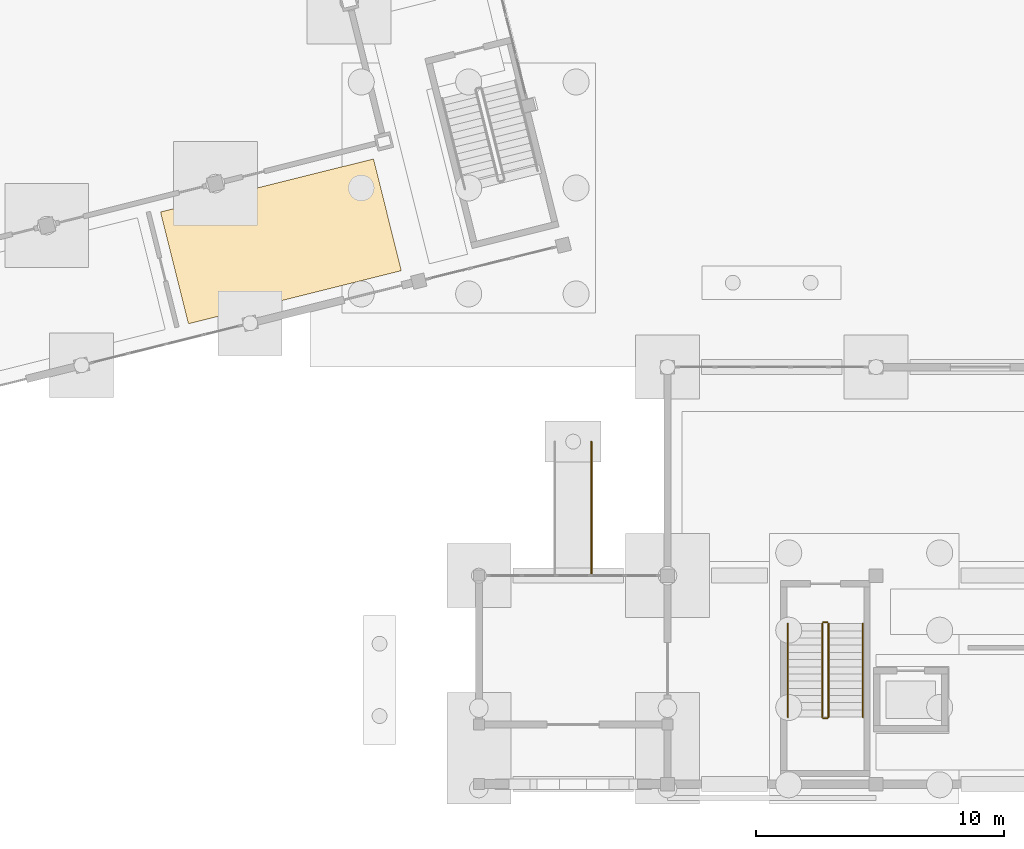
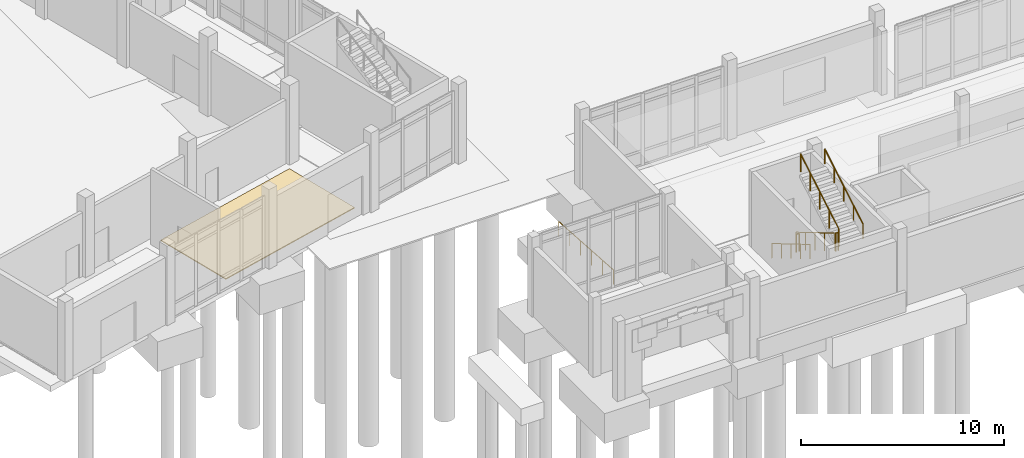
# One storey, part 57 of 72: 7 railings, 1 covering.
"""IFC4 building model written with IfcOpenShell, lengths in metres."""

import ifcopenshell
import ifcopenshell.guid

model = None  # the IFC model being written
_history = None  # IfcOwnerHistory: only IFC2X3 demands one
_inside = {}  # id of a spatial element -> (the spatial element, [elements in it])
_under = {}  # id of a project, library or spatial element -> (it, [spatial elements below it])
_declared = {}  # id of a project -> (the project, [libraries it declares])
_typed = {}  # id of a type object -> (the type object, [elements of that type])
_made_of = {}  # id of a material, layer set ... -> (it, [elements and type objects made of it])


def new_model(schema):
    """Start an empty IFC model of exactly this schema.

    Asked for "IFC4X3", IfcOpenShell would pick the latest addendum, in which some entities
    have other attributes; the version numbers below select the first issue.
    IFC2X3 requires an IfcOwnerHistory on every rooted entity: one is made here for all.
    """
    global model, _history
    if schema == "IFC4X3":
        model = ifcopenshell.file(schema_version=(4, 3, 0, 0))
    else:
        model = ifcopenshell.file(schema=schema)
    _inside.clear()
    _under.clear()
    _declared.clear()
    _typed.clear()
    _made_of.clear()
    _history = None
    if model.schema == "IFC2X3":
        org = make("IfcOrganization", Name="unknown")
        user = make(
            "IfcPersonAndOrganization",
            ThePerson=make("IfcPerson", FamilyName="unknown"),
            TheOrganization=org,
        )
        app = make(
            "IfcApplication",
            ApplicationDeveloper=org,
            Version="unknown",
            ApplicationFullName="unknown",
            ApplicationIdentifier="unknown",
        )
        _history = make(
            "IfcOwnerHistory",
            OwningUser=user,
            OwningApplication=app,
            ChangeAction="ADDED",
            CreationDate=0,
        )
    return model


def make(cls, **values):
    """One entity of the class cls with the attributes given. An attribute that is None is left unset."""
    return model.create_entity(
        cls, **{name: value for name, value in values.items() if value is not None}
    )


def rooted(cls, **values):
    """An entity with a GlobalId (a new one), such as an element, a storey or a relation."""
    return make(cls, GlobalId=ifcopenshell.guid.new(), OwnerHistory=_history, **values)


def si_unit(unit_type, name, prefix=None):
    """IfcSIUnit, for example si_unit("LENGTHUNIT", "METRE", prefix="MILLI")."""
    return make("IfcSIUnit", UnitType=unit_type, Prefix=prefix, Name=name)


def assignment(units):
    """IfcUnitAssignment: the units of a project."""
    return None if units is None else make("IfcUnitAssignment", Units=units)


def point(xyz):
    """IfcCartesianPoint."""
    return None if xyz is None else make("IfcCartesianPoint", Coordinates=xyz)


def direction(xyz):
    """IfcDirection."""
    return None if xyz is None else make("IfcDirection", DirectionRatios=xyz)


def frame(location, z_axis=None, x_axis=None):
    """IfcAxis2Placement3D, a coordinate frame: its origin and axes. An axis left out is left unset."""
    return make(
        "IfcAxis2Placement3D",
        Location=point(location),
        Axis=direction(z_axis),
        RefDirection=direction(x_axis),
    )


def frame_2d(location, x_axis=None):
    """IfcAxis2Placement2D, a coordinate frame in the plane: its origin and x axis."""
    return make(
        "IfcAxis2Placement2D", Location=point(location), RefDirection=direction(x_axis)
    )


def origin():
    """The frame at (0, 0, 0) with its axes left unset."""
    return frame((0.0, 0.0, 0.0))


def origin_2d():
    """The frame at (0, 0) in the plane with its x axis left unset."""
    return frame_2d((0.0, 0.0))


def place(relative_to, where):
    """IfcLocalPlacement: puts the frame where relative to a parent placement (None: the world)."""
    return make(
        "IfcLocalPlacement", PlacementRelTo=relative_to, RelativePlacement=where
    )


def context(
    kind, dimensions, precision=None, world=None, true_north=None, identifier=None
):
    """IfcGeometricRepresentationContext, for example the 3D "Model" context."""
    return make(
        "IfcGeometricRepresentationContext",
        ContextIdentifier=identifier,
        ContextType=kind,
        CoordinateSpaceDimension=dimensions,
        Precision=precision,
        WorldCoordinateSystem=world,
        TrueNorth=true_north,
    )


def subcontext(parent, identifier, kind, view, scale=None):
    """IfcGeometricRepresentationSubContext, for example "Body" below "Model"."""
    return make(
        "IfcGeometricRepresentationSubContext",
        ContextIdentifier=identifier,
        ContextType=kind,
        ParentContext=parent,
        TargetScale=scale,
        TargetView=view,
    )


def project(units=None, contexts=None):
    """IfcProject with its units and contexts."""
    return rooted(
        "IfcProject",
        Name="project",
        RepresentationContexts=contexts,
        UnitsInContext=assignment(units),
    )


def spatial(cls, under=None, at=None, **own):
    """A site, building, storey or space (cls), placed at a placement, below another one or the project."""
    s = rooted(cls, ObjectPlacement=at, **own)
    if under is not None:
        _under.setdefault(under.id(), (under, []))[1].append(s)
    return s


def polyline(points):
    """IfcPolyline through the points."""
    return make("IfcPolyline", Points=[point(p) for p in points])


def profile(cls, at=None, kind="AREA", **sizes):
    """A parametric profile (cls). Its sizes go by their IFC names, for example OverallWidth=200.0."""
    return make(cls, ProfileType=kind, Position=at, **sizes)


def circle(**sizes):
    """IfcCircleProfileDef."""
    return profile("IfcCircleProfileDef", **sizes)


def outline(outer, holes=None, kind="AREA"):
    """IfcArbitraryClosedProfileDef: a profile drawn as a closed curve; with holes, ...WithVoids."""
    if holes is None:
        return make("IfcArbitraryClosedProfileDef", ProfileType=kind, OuterCurve=outer)
    return make(
        "IfcArbitraryProfileDefWithVoids",
        ProfileType=kind,
        OuterCurve=outer,
        InnerCurves=holes,
    )


def extrude(swept, where, along, depth):
    """IfcExtrudedAreaSolid: the profile swept, set in the frame where, extruded along a direction by depth."""
    return make(
        "IfcExtrudedAreaSolid",
        SweptArea=swept,
        Position=where,
        ExtrudedDirection=direction(along),
        Depth=depth,
    )


def shape(context_of_items, identifier, shape_type, items):
    """IfcShapeRepresentation: the items that make up one representation, for example the "Body"."""
    return make(
        "IfcShapeRepresentation",
        ContextOfItems=context_of_items,
        RepresentationIdentifier=identifier,
        RepresentationType=shape_type,
        Items=items,
    )


def material(Name=None, Category=None):
    """IfcMaterial."""
    return make("IfcMaterial", Name=Name, Category=Category)


def layer(
    of_material, thickness, ventilated=None, Name=None, Category=None, Priority=None
):
    """IfcMaterialLayer: one layer of a wall or slab, of a material (None: an air gap)."""
    return make(
        "IfcMaterialLayer",
        Material=of_material,
        LayerThickness=thickness,
        IsVentilated=ventilated,
        Name=Name,
        Category=Category,
        Priority=Priority,
    )


def layer_set(layers, Name=None):
    """IfcMaterialLayerSet."""
    return make("IfcMaterialLayerSet", MaterialLayers=layers, LayerSetName=Name)


def made_of(thing, what):
    """Note that an element or type object is made of a material, layer set ...; save() writes the relation."""
    if what is not None:
        _made_of.setdefault(what.id(), (what, []))[1].append(thing)
    return thing


def type_object(cls, material=None, **own):
    """A type object (cls), such as IfcWallType, which elements share."""
    return made_of(rooted(cls, **own), material)


def element(
    cls,
    number,
    at=None,
    inside=None,
    cuts=None,
    type_object=None,
    material=None,
    context=None,
    identifier="Body",
    shape_type=None,
    held_by="IfcProductDefinitionShape",
    body=None,
    shapes=None,
    **own,
):
    """One element of the class cls, such as IfcWall. Its Tag is "e" and its number.

    at: its placement. inside: the storey or other place that contains it. cuts: it is an
    opening in that element (IfcRelVoidsElement). A single representation is given by context,
    identifier, shape_type and body (its items); several are given by shapes. held_by: the class
    of the entity that holds the representations. save() writes the other relations.
    """
    e = rooted(cls, Tag="e%d" % number, ObjectPlacement=at, **own)
    if body is not None:
        shapes = [shape(context, identifier, shape_type, body)]
    if shapes is not None:
        e.Representation = make(held_by, Representations=shapes)
    if inside is not None:
        _inside.setdefault(inside.id(), (inside, []))[1].append(e)
    if cuts is not None:
        rooted(
            "IfcRelVoidsElement", RelatingBuildingElement=cuts, RelatedOpeningElement=e
        )
    if type_object is not None:
        _typed.setdefault(type_object.id(), (type_object, []))[1].append(e)
    return made_of(e, material)


def aggregate(whole, parts):
    """IfcRelAggregates: a whole, such as a stair, and the parts it consists of."""
    return rooted("IfcRelAggregates", RelatingObject=whole, RelatedObjects=parts)


def save(model, path):
    """Write the relations noted so far, then the file.

    IfcRelAggregates (storeys below a building ...), IfcRelContainedInSpatialStructure (elements
    in a storey), IfcRelDefinesByType, IfcRelAssociatesMaterial and IfcRelDeclares: one each for
    every whole, place, type object, material and project.
    """
    for whole, parts in _under.values():
        aggregate(whole, parts)
    for where, things in _inside.values():
        rooted(
            "IfcRelContainedInSpatialStructure",
            RelatedElements=things,
            RelatingStructure=where,
        )
    for kind, things in _typed.values():
        rooted("IfcRelDefinesByType", RelatedObjects=things, RelatingType=kind)
    for what, things in _made_of.values():
        rooted("IfcRelAssociatesMaterial", RelatedObjects=things, RelatingMaterial=what)
    for by, libraries in _declared.values():
        rooted("IfcRelDeclares", RelatingContext=by, RelatedDefinitions=libraries)
    model.write(path)


model = new_model("IFC4")

# Units and contexts
model_context = context("Model", 3, precision=1e-05, world=origin(), true_north=direction((0.0, 1.0)))
body_context = subcontext(model_context, "Body", "Model", "MODEL_VIEW")
ifc_project = project(units=[si_unit("LENGTHUNIT", "METRE"), si_unit("AREAUNIT", "SQUARE_METRE"), si_unit("VOLUMEUNIT", "CUBIC_METRE"), si_unit("PLANEANGLEUNIT", "RADIAN"), si_unit("MASSUNIT", "GRAM", prefix="KILO")], contexts=[model_context])

# Site, building, storey
site_placement = place(None, origin())
site = spatial("IfcSite", under=ifc_project, at=site_placement, CompositionType="ELEMENT")
building_placement = place(site_placement, origin())
building = spatial("IfcBuilding", under=site, at=building_placement, Name="Cinderway Yard Community Centre", CompositionType="ELEMENT")
storey_placement = place(building_placement, origin())
storey = spatial("IfcBuildingStorey", under=building, at=storey_placement, Name="L00", CompositionType="ELEMENT", Elevation=0.0)

# Covering
ifc_material_1 = material(Name="Sprung Hardwood Court Floor", Category="wood")
ifc_layer = layer(ifc_material_1, 0.054931640625, Name="Sprung Hardwood Court Floor")
ifc_layer_set = layer_set([ifc_layer], Name="Sprung Hardwood Court Floor")
covering_type = type_object("IfcCoveringType", Name="INT-COV-FLR-SPR", PredefinedType="FLOORING", material=ifc_layer_set)
covering_placement = place(storey_placement, origin())
element("IfcCovering", 1, at=covering_placement, inside=storey, type_object=covering_type, Name="Prayer Hall Floor Finish", PredefinedType="FLOORING", context=body_context, shape_type="SweptSolid", body=[
    extrude(outline(polyline([(37.97802734375, 29.049072265625), (46.554931640625, 31.18701171875), (47.677001953125, 26.68603515625), (39.10107421875, 24.547119140625), (37.97802734375, 29.049072265625)])), origin(), (0.0, 0.0, 1.0), 0.054931640625),
])

# Railings
ifc_material_2 = material(Name="Painted Galvanised Steel", Category="steel")
railing_type_1 = type_object("IfcRailingType", Name="INT-RAL-GRD112", PredefinedType="GUARDRAIL", material=ifc_material_2)
railing_1_placement = place(storey_placement, frame((64.6298828125, 12.469970703125, 0.17138671875)))
element("IfcRailing", 2, at=railing_1_placement, inside=storey, type_object=railing_type_1, Name="L00 ST-09 stair guard 1", PredefinedType="GUARDRAIL", context=body_context, shape_type="SweptSolid", body=[
    extrude(circle(Radius=0.02392578125, at=origin_2d()), frame((0.0, 0.0, 1.076171875), z_axis=(0.0, -0.860848830602, 0.508860777473), x_axis=(1.0, 0.0, 0.0)), (0.0, 0.0, 1.0), 4.37939453125),
    extrude(circle(Radius=0.02099609375, at=origin_2d()), origin(), (0.0, 0.0, 1.0), 1.052001953125),
    extrude(circle(Radius=0.02099609375, at=origin_2d()), frame((0.0, -0.9423828125, 0.55712890625)), (0.0, 0.0, 1.0), 1.052001953125),
    extrude(circle(Radius=0.02099609375, at=origin_2d()), frame((0.0, -1.885009765625, 1.1142578125)), (0.0, 0.0, 1.0), 1.052001953125),
    extrude(circle(Radius=0.02099609375, at=origin_2d()), frame((0.0, -2.82763671875, 1.67138671875)), (0.0, 0.0, 1.0), 1.052001953125),
    extrude(circle(Radius=0.02099609375, at=origin_2d()), frame((0.0, -3.77001953125, 2.228515625)), (0.0, 0.0, 1.0), 1.052001953125),
])
railing_2_placement = place(storey_placement, frame((64.679931640625, 8.64990234375, 2.39990234375)))
element("IfcRailing", 3, at=railing_2_placement, inside=storey, type_object=railing_type_1, Name="L00 ST-09 stair guard 2", PredefinedType="GUARDRAIL", context=body_context, shape_type="SweptSolid", body=[
    extrude(circle(Radius=0.02392578125, at=origin_2d()), frame((0.0, 0.0, 1.076171875), z_axis=(1.0, 0.0, 0.0), x_axis=(0.0, 1.0, 0.0)), (0.0, 0.0, 1.0), 0.16015625),
    extrude(circle(Radius=0.02099609375, at=origin_2d()), origin(), (0.0, 0.0, 1.0), 1.052001953125),
    extrude(circle(Radius=0.02099609375, at=origin_2d()), frame((0.16015625, 0.0, 0.0)), (0.0, 0.0, 1.0), 1.052001953125),
])
railing_3_placement = place(storey_placement, frame((64.889892578125, 8.699951171875, 2.571533203125)))
element("IfcRailing", 4, at=railing_3_placement, inside=storey, type_object=railing_type_1, Name="L00 ST-09 stair guard 3", PredefinedType="GUARDRAIL", context=body_context, shape_type="SweptSolid", body=[
    extrude(circle(Radius=0.02392578125, at=origin_2d()), frame((0.0, 0.0, 1.076171875), z_axis=(0.0, 0.860848830602, 0.508860777473), x_axis=(-1.0, 0.0, 0.0)), (0.0, 0.0, 1.0), 4.37939453125),
    extrude(circle(Radius=0.02099609375, at=origin_2d()), origin(), (0.0, 0.0, 1.0), 1.052001953125),
    extrude(circle(Radius=0.02099609375, at=origin_2d()), frame((0.0, 0.9423828125, 0.55712890625)), (0.0, 0.0, 1.0), 1.052001953125),
    extrude(circle(Radius=0.02099609375, at=origin_2d()), frame((0.0, 1.885009765625, 1.1142578125)), (0.0, 0.0, 1.0), 1.052001953125),
    extrude(circle(Radius=0.02099609375, at=origin_2d()), frame((0.0, 2.82763671875, 1.67138671875)), (0.0, 0.0, 1.0), 1.052001953125),
    extrude(circle(Radius=0.02099609375, at=origin_2d()), frame((0.0, 3.77001953125, 2.228515625)), (0.0, 0.0, 1.0), 1.052001953125),
])
railing_4_placement = place(storey_placement, frame((64.679931640625, 12.52001953125, 0.0)))
element("IfcRailing", 5, at=railing_4_placement, inside=storey, type_object=railing_type_1, Name="L00 ST-09 stair guard 4", PredefinedType="GUARDRAIL", context=body_context, shape_type="SweptSolid", body=[
    extrude(circle(Radius=0.02392578125, at=origin_2d()), frame((0.0, 0.0, 1.076171875), z_axis=(1.0, 0.0, 0.0), x_axis=(0.0, 1.0, 0.0)), (0.0, 0.0, 1.0), 0.16015625),
    extrude(circle(Radius=0.02099609375, at=origin_2d()), origin(), (0.0, 0.0, 1.0), 1.052001953125),
    extrude(circle(Radius=0.02099609375, at=origin_2d()), frame((0.16015625, 0.0, 0.0)), (0.0, 0.0, 1.0), 1.052001953125),
])
railing_type_2 = type_object("IfcRailingType", Name="INT-RAL-HND090", PredefinedType="HANDRAIL", material=ifc_material_2)
railing_5_placement = place(storey_placement, frame((63.25, 12.469970703125, 0.17138671875)))
element("IfcRailing", 6, at=railing_5_placement, inside=storey, type_object=railing_type_2, Name="L00 ST-09 stair handrail 1", PredefinedType="HANDRAIL", context=body_context, shape_type="SweptSolid", body=[
    extrude(circle(Radius=0.02392578125, at=origin_2d()), frame((0.0, 0.0, 0.8759765625), z_axis=(0.0, -0.860848830602, 0.508860777473), x_axis=(1.0, 0.0, 0.0)), (0.0, 0.0, 1.0), 4.37939453125),
    extrude(circle(Radius=0.02099609375, at=origin_2d()), origin(), (0.0, 0.0, 1.0), 0.851806640625),
    extrude(circle(Radius=0.02099609375, at=origin_2d()), frame((0.0, -0.9423828125, 0.55712890625)), (0.0, 0.0, 1.0), 0.851806640625),
    extrude(circle(Radius=0.02099609375, at=origin_2d()), frame((0.0, -1.885009765625, 1.1142578125)), (0.0, 0.0, 1.0), 0.851806640625),
    extrude(circle(Radius=0.02099609375, at=origin_2d()), frame((0.0, -2.82763671875, 1.67138671875)), (0.0, 0.0, 1.0), 0.851806640625),
    extrude(circle(Radius=0.02099609375, at=origin_2d()), frame((0.0, -3.77001953125, 2.228515625)), (0.0, 0.0, 1.0), 0.851806640625),
])
railing_6_placement = place(storey_placement, frame((66.27001953125, 8.699951171875, 2.571533203125)))
element("IfcRailing", 7, at=railing_6_placement, inside=storey, type_object=railing_type_2, Name="L00 ST-09 stair handrail 2", PredefinedType="HANDRAIL", context=body_context, shape_type="SweptSolid", body=[
    extrude(circle(Radius=0.02392578125, at=origin_2d()), frame((0.0, 0.0, 0.8759765625), z_axis=(0.0, 0.860848830602, 0.508860777473), x_axis=(-1.0, 0.0, 0.0)), (0.0, 0.0, 1.0), 4.37939453125),
    extrude(circle(Radius=0.02099609375, at=origin_2d()), origin(), (0.0, 0.0, 1.0), 0.851806640625),
    extrude(circle(Radius=0.02099609375, at=origin_2d()), frame((0.0, 0.9423828125, 0.55712890625)), (0.0, 0.0, 1.0), 0.851806640625),
    extrude(circle(Radius=0.02099609375, at=origin_2d()), frame((0.0, 1.885009765625, 1.1142578125)), (0.0, 0.0, 1.0), 0.851806640625),
    extrude(circle(Radius=0.02099609375, at=origin_2d()), frame((0.0, 2.82763671875, 1.67138671875)), (0.0, 0.0, 1.0), 0.851806640625),
    extrude(circle(Radius=0.02099609375, at=origin_2d()), frame((0.0, 3.77001953125, 2.228515625)), (0.0, 0.0, 1.0), 0.851806640625),
])
railing_7_placement = place(storey_placement, frame((55.3359375, 14.39990234375, 0.179931640625)))
element("IfcRailing", 8, at=railing_7_placement, inside=storey, type_object=railing_type_2, Name="West Storm Arcade Courtyard Ramp Handrail L", PredefinedType="HANDRAIL", context=body_context, shape_type="SweptSolid", body=[
    extrude(circle(Radius=0.02392578125, at=origin_2d()), frame((0.0, 0.0, 0.8759765625), z_axis=(0.0, 0.997786953907, -0.066492064291), x_axis=(-1.0, 0.0, 0.0)), (0.0, 0.0, 1.0), 5.412109375),
    extrude(circle(Radius=0.02099609375, at=origin_2d()), origin(), (0.0, 0.0, 1.0), 0.851806640625),
    extrude(circle(Radius=0.02099609375, at=origin_2d()), frame((0.0, 1.080078125, -0.072021484375)), (0.0, 0.0, 1.0), 0.851806640625),
    extrude(circle(Radius=0.02099609375, at=origin_2d()), frame((0.0, 2.16015625, -0.14404296875)), (0.0, 0.0, 1.0), 0.851806640625),
    extrude(circle(Radius=0.02099609375, at=origin_2d()), frame((0.0, 3.239990234375, -0.2158203125)), (0.0, 0.0, 1.0), 0.851806640625),
    extrude(circle(Radius=0.02099609375, at=origin_2d()), frame((0.0, 4.320068359375, -0.287841796875)), (0.0, 0.0, 1.0), 0.851806640625),
    extrude(circle(Radius=0.02099609375, at=origin_2d()), frame((0.0, 5.400146484375, -0.35986328125)), (0.0, 0.0, 1.0), 0.851806640625),
])

save(model, "model.ifc")
